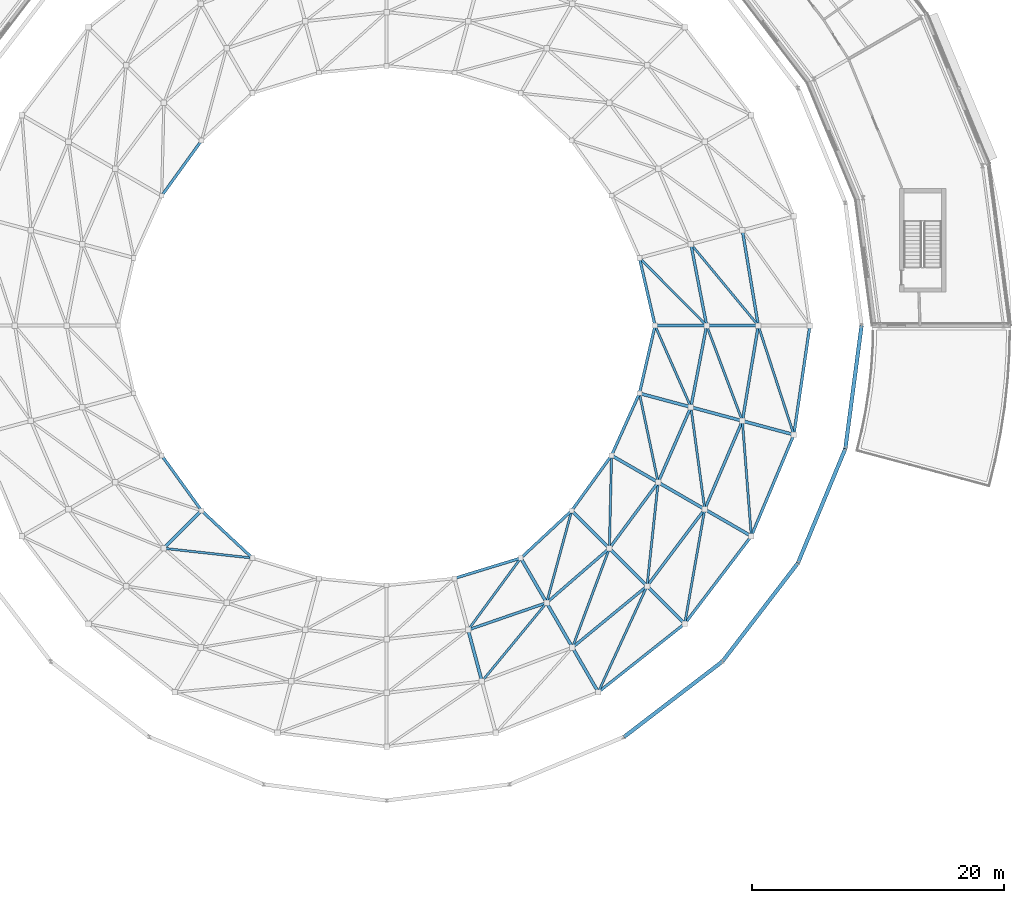
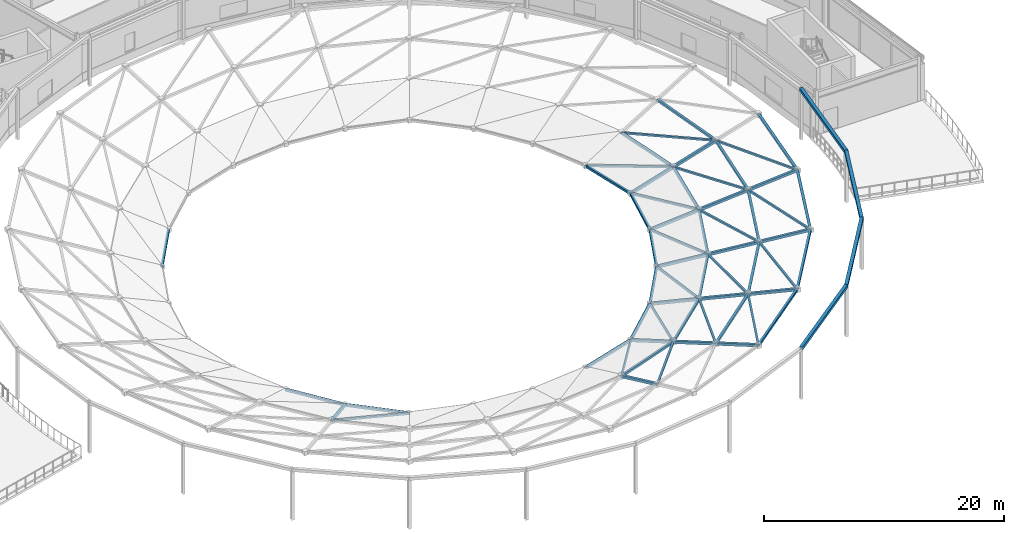
# One storey, part 17 of 89: 57 members, 4 beams.
"""IFC4 building model written with IfcOpenShell, lengths in metres."""

import ifcopenshell
import ifcopenshell.guid

model = None  # the IFC model being written
_history = None  # IfcOwnerHistory: only IFC2X3 demands one
_inside = {}  # id of a spatial element -> (the spatial element, [elements in it])
_under = {}  # id of a project, library or spatial element -> (it, [spatial elements below it])
_declared = {}  # id of a project -> (the project, [libraries it declares])
_typed = {}  # id of a type object -> (the type object, [elements of that type])
_made_of = {}  # id of a material, layer set ... -> (it, [elements and type objects made of it])


def new_model(schema):
    """Start an empty IFC model of exactly this schema.

    Asked for "IFC4X3", IfcOpenShell would pick the latest addendum, in which some entities
    have other attributes; the version numbers below select the first issue.
    IFC2X3 requires an IfcOwnerHistory on every rooted entity: one is made here for all.
    """
    global model, _history
    if schema == "IFC4X3":
        model = ifcopenshell.file(schema_version=(4, 3, 0, 0))
    else:
        model = ifcopenshell.file(schema=schema)
    _inside.clear()
    _under.clear()
    _declared.clear()
    _typed.clear()
    _made_of.clear()
    _history = None
    if model.schema == "IFC2X3":
        org = make("IfcOrganization", Name="unknown")
        user = make(
            "IfcPersonAndOrganization",
            ThePerson=make("IfcPerson", FamilyName="unknown"),
            TheOrganization=org,
        )
        app = make(
            "IfcApplication",
            ApplicationDeveloper=org,
            Version="unknown",
            ApplicationFullName="unknown",
            ApplicationIdentifier="unknown",
        )
        _history = make(
            "IfcOwnerHistory",
            OwningUser=user,
            OwningApplication=app,
            ChangeAction="ADDED",
            CreationDate=0,
        )
    return model


def make(cls, **values):
    """One entity of the class cls with the attributes given. An attribute that is None is left unset."""
    return model.create_entity(
        cls, **{name: value for name, value in values.items() if value is not None}
    )


def rooted(cls, **values):
    """An entity with a GlobalId (a new one), such as an element, a storey or a relation."""
    return make(cls, GlobalId=ifcopenshell.guid.new(), OwnerHistory=_history, **values)


def si_unit(unit_type, name, prefix=None):
    """IfcSIUnit, for example si_unit("LENGTHUNIT", "METRE", prefix="MILLI")."""
    return make("IfcSIUnit", UnitType=unit_type, Prefix=prefix, Name=name)


def assignment(units):
    """IfcUnitAssignment: the units of a project."""
    return None if units is None else make("IfcUnitAssignment", Units=units)


def point(xyz):
    """IfcCartesianPoint."""
    return None if xyz is None else make("IfcCartesianPoint", Coordinates=xyz)


def direction(xyz):
    """IfcDirection."""
    return None if xyz is None else make("IfcDirection", DirectionRatios=xyz)


def frame(location, z_axis=None, x_axis=None):
    """IfcAxis2Placement3D, a coordinate frame: its origin and axes. An axis left out is left unset."""
    return make(
        "IfcAxis2Placement3D",
        Location=point(location),
        Axis=direction(z_axis),
        RefDirection=direction(x_axis),
    )


def frame_2d(location, x_axis=None):
    """IfcAxis2Placement2D, a coordinate frame in the plane: its origin and x axis."""
    return make(
        "IfcAxis2Placement2D", Location=point(location), RefDirection=direction(x_axis)
    )


def origin():
    """The frame at (0, 0, 0) with its axes left unset."""
    return frame((0.0, 0.0, 0.0))


def origin_2d():
    """The frame at (0, 0) in the plane with its x axis left unset."""
    return frame_2d((0.0, 0.0))


def place(relative_to, where):
    """IfcLocalPlacement: puts the frame where relative to a parent placement (None: the world)."""
    return make(
        "IfcLocalPlacement", PlacementRelTo=relative_to, RelativePlacement=where
    )


def context(
    kind, dimensions, precision=None, world=None, true_north=None, identifier=None
):
    """IfcGeometricRepresentationContext, for example the 3D "Model" context."""
    return make(
        "IfcGeometricRepresentationContext",
        ContextIdentifier=identifier,
        ContextType=kind,
        CoordinateSpaceDimension=dimensions,
        Precision=precision,
        WorldCoordinateSystem=world,
        TrueNorth=true_north,
    )


def subcontext(parent, identifier, kind, view, scale=None):
    """IfcGeometricRepresentationSubContext, for example "Body" below "Model"."""
    return make(
        "IfcGeometricRepresentationSubContext",
        ContextIdentifier=identifier,
        ContextType=kind,
        ParentContext=parent,
        TargetScale=scale,
        TargetView=view,
    )


def project(units=None, contexts=None):
    """IfcProject with its units and contexts."""
    return rooted(
        "IfcProject",
        Name="project",
        RepresentationContexts=contexts,
        UnitsInContext=assignment(units),
    )


def spatial(cls, under=None, at=None, **own):
    """A site, building, storey or space (cls), placed at a placement, below another one or the project."""
    s = rooted(cls, ObjectPlacement=at, **own)
    if under is not None:
        _under.setdefault(under.id(), (under, []))[1].append(s)
    return s


def profile(cls, at=None, kind="AREA", **sizes):
    """A parametric profile (cls). Its sizes go by their IFC names, for example OverallWidth=200.0."""
    return make(cls, ProfileType=kind, Position=at, **sizes)


def hollow_rectangle(**sizes):
    """IfcRectangleHollowProfileDef."""
    return profile("IfcRectangleHollowProfileDef", **sizes)


def extrude(swept, where, along, depth):
    """IfcExtrudedAreaSolid: the profile swept, set in the frame where, extruded along a direction by depth."""
    return make(
        "IfcExtrudedAreaSolid",
        SweptArea=swept,
        Position=where,
        ExtrudedDirection=direction(along),
        Depth=depth,
    )


def shape(context_of_items, identifier, shape_type, items):
    """IfcShapeRepresentation: the items that make up one representation, for example the "Body"."""
    return make(
        "IfcShapeRepresentation",
        ContextOfItems=context_of_items,
        RepresentationIdentifier=identifier,
        RepresentationType=shape_type,
        Items=items,
    )


def material(Name=None, Category=None):
    """IfcMaterial."""
    return make("IfcMaterial", Name=Name, Category=Category)


def material_profile(
    of_material, cross_section, Name=None, Category=None, Priority=None
):
    """IfcMaterialProfile: a cross section and its material."""
    return make(
        "IfcMaterialProfile",
        Name=Name,
        Material=of_material,
        Profile=cross_section,
        Priority=Priority,
        Category=Category,
    )


def profile_set(profiles, Name=None, composite=None):
    """IfcMaterialProfileSet."""
    return make(
        "IfcMaterialProfileSet",
        Name=Name,
        MaterialProfiles=profiles,
        CompositeProfile=composite,
    )


def made_of(thing, what):
    """Note that an element or type object is made of a material, layer set ...; save() writes the relation."""
    if what is not None:
        _made_of.setdefault(what.id(), (what, []))[1].append(thing)
    return thing


def type_object(cls, material=None, **own):
    """A type object (cls), such as IfcWallType, which elements share."""
    return made_of(rooted(cls, **own), material)


def element(
    cls,
    number,
    at=None,
    inside=None,
    cuts=None,
    type_object=None,
    material=None,
    context=None,
    identifier="Body",
    shape_type=None,
    held_by="IfcProductDefinitionShape",
    body=None,
    shapes=None,
    **own,
):
    """One element of the class cls, such as IfcWall. Its Tag is "e" and its number.

    at: its placement. inside: the storey or other place that contains it. cuts: it is an
    opening in that element (IfcRelVoidsElement). A single representation is given by context,
    identifier, shape_type and body (its items); several are given by shapes. held_by: the class
    of the entity that holds the representations. save() writes the other relations.
    """
    e = rooted(cls, Tag="e%d" % number, ObjectPlacement=at, **own)
    if body is not None:
        shapes = [shape(context, identifier, shape_type, body)]
    if shapes is not None:
        e.Representation = make(held_by, Representations=shapes)
    if inside is not None:
        _inside.setdefault(inside.id(), (inside, []))[1].append(e)
    if cuts is not None:
        rooted(
            "IfcRelVoidsElement", RelatingBuildingElement=cuts, RelatedOpeningElement=e
        )
    if type_object is not None:
        _typed.setdefault(type_object.id(), (type_object, []))[1].append(e)
    return made_of(e, material)


def aggregate(whole, parts):
    """IfcRelAggregates: a whole, such as a stair, and the parts it consists of."""
    return rooted("IfcRelAggregates", RelatingObject=whole, RelatedObjects=parts)


def save(model, path):
    """Write the relations noted so far, then the file.

    IfcRelAggregates (storeys below a building ...), IfcRelContainedInSpatialStructure (elements
    in a storey), IfcRelDefinesByType, IfcRelAssociatesMaterial and IfcRelDeclares: one each for
    every whole, place, type object, material and project.
    """
    for whole, parts in _under.values():
        aggregate(whole, parts)
    for where, things in _inside.values():
        rooted(
            "IfcRelContainedInSpatialStructure",
            RelatedElements=things,
            RelatingStructure=where,
        )
    for kind, things in _typed.values():
        rooted("IfcRelDefinesByType", RelatedObjects=things, RelatingType=kind)
    for what, things in _made_of.values():
        rooted("IfcRelAssociatesMaterial", RelatedObjects=things, RelatingMaterial=what)
    for by, libraries in _declared.values():
        rooted("IfcRelDeclares", RelatingContext=by, RelatedDefinitions=libraries)
    model.write(path)


model = new_model("IFC4")

# Units and contexts
model_context = context("Model", 3, precision=1e-05, world=origin(), true_north=direction((0.0, 1.0)))
body_context = subcontext(model_context, "Body", "Model", "MODEL_VIEW")
ifc_project = project(units=[si_unit("LENGTHUNIT", "METRE"), si_unit("AREAUNIT", "SQUARE_METRE"), si_unit("VOLUMEUNIT", "CUBIC_METRE"), si_unit("PLANEANGLEUNIT", "RADIAN"), si_unit("MASSUNIT", "GRAM", prefix="KILO")], contexts=[model_context])

# Site, building, storey
site_placement = place(None, origin())
site = spatial("IfcSite", under=ifc_project, at=site_placement, CompositionType="ELEMENT")
building_placement = place(site_placement, origin())
building = spatial("IfcBuilding", under=site, at=building_placement, Name="Almandine Court Research Institute", CompositionType="ELEMENT")
storey_placement = place(building_placement, frame((0.0, 0.0, 18.89990234375)))
storey = spatial("IfcBuildingStorey", under=building, at=storey_placement, Name="L04", CompositionType="ELEMENT", Elevation=18.89990234375)

# Beams
ifc_material = material(Name="Steel ASTM A500 Grade C", Category="steel")
ifc_material_profile_1 = material_profile(ifc_material, hollow_rectangle(XDim=0.300048828125, YDim=0.300048828125, WallThickness=0.011962890625, at=origin_2d()), Name="HSS 300x300x12")
ifc_profile_set_1 = profile_set([ifc_material_profile_1], Name="Steel ASTM A500 Grade C")
beam_type = type_object("IfcBeamType", Name="Beam-RB-01-E", PredefinedType="BEAM", material=ifc_profile_set_1)
for number, where, z_axis, x_axis, name in (
    (1, (105.824951171875, 23.39404296875, 5.10009765625), (0.793391623282, 0.608711534396, 0.0), (-0.608711534396, 0.793391623282, 0.0), "Gridshell Outer Ring Beam ORB-21"),
    (2, (113.623046875, 29.376953125, 5.10009765625), (0.608711534396, 0.793391623282, 0.0), (-0.793391623282, 0.608711534396, 0.0), "Gridshell Outer Ring Beam ORB-22"),
):
    element("IfcBeam", number, at=place(storey_placement, frame(where, z_axis=z_axis, x_axis=x_axis)), inside=storey, type_object=beam_type, Name=name, PredefinedType="BEAM", context=body_context, shape_type="SweptSolid", body=[
        extrude(hollow_rectangle(XDim=0.300048828125, YDim=0.300048828125, WallThickness=0.011962890625, at=origin_2d()), origin(), (0.0, 0.0, 1.0), 9.828857421875),
    ])
beam_1_placement = place(storey_placement, frame((119.60595703125, 37.175048828125, 5.10009765625), z_axis=(0.382683080424, 0.92387967829, 0.0), x_axis=(-0.92387967829, 0.382683080424, 0.0)))
element("IfcBeam", 3, at=beam_1_placement, inside=storey, type_object=beam_type, Name="Gridshell Outer Ring Beam ORB-23", PredefinedType="BEAM", context=body_context, shape_type="SweptSolid", body=[
    extrude(hollow_rectangle(XDim=0.300048828125, YDim=0.300048828125, WallThickness=0.011962890625, at=origin_2d()), origin(), (0.0, 0.0, 1.0), 9.827880859375),
])
beam_2_placement = place(storey_placement, frame((123.366943359375, 46.2548828125, 5.10009765625), z_axis=(0.130525188913, 0.991444993461, 0.0), x_axis=(-0.991444993461, 0.130525188913, 0.0)))
element("IfcBeam", 4, at=beam_2_placement, inside=storey, type_object=beam_type, Name="Gridshell Outer Ring Beam ORB-24", PredefinedType="BEAM", context=body_context, shape_type="SweptSolid", body=[
    extrude(hollow_rectangle(XDim=0.300048828125, YDim=0.300048828125, WallThickness=0.011962890625, at=origin_2d()), origin(), (0.0, 0.0, 1.0), 9.8291015625),
])

# Members
ifc_material_profile_2 = material_profile(ifc_material, hollow_rectangle(XDim=0.25, YDim=0.25, WallThickness=0.010009765625, at=origin_2d()), Name="HSS 250x250x10")
ifc_profile_set_2 = profile_set([ifc_material_profile_2], Name="Steel ASTM A500 Grade C")
member_type_1 = type_object("IfcMemberType", Name="Mem-GS-AR1", PredefinedType="RAFTER", material=ifc_profile_set_2)
member_1_placement = place(storey_placement, frame((103.779052734375, 26.93896484375, 3.9931640625), z_axis=(-0.478141034543, 0.827751372383, -0.293613379471), x_axis=(-0.865917322531, -0.500187155513, 0.0)))
element("IfcMember", 5, at=member_1_placement, inside=storey, type_object=member_type_1, Name="Atrium Conical Gridshell Radial Rib R1-S20", PredefinedType="RAFTER", context=body_context, shape_type="SweptSolid", body=[
    extrude(hollow_rectangle(XDim=0.25, YDim=0.25, WallThickness=0.010009765625, at=origin_2d()), origin(), (0.0, 0.0, 1.0), 4.281494140625),
])
member_2_placement = place(storey_placement, frame((110.634033203125, 32.365966796875, 3.9931640625), z_axis=(-0.677753192831, 0.677753192831, -0.285133686566), x_axis=(-0.707106781187, -0.707106781187, 0.0)))
element("IfcMember", 6, at=member_2_placement, inside=storey, type_object=member_type_1, Name="Atrium Conical Gridshell Radial Rib R1-S21", PredefinedType="RAFTER", context=body_context, shape_type="SweptSolid", body=[
    extrude(hollow_rectangle(XDim=0.25, YDim=0.25, WallThickness=0.010009765625, at=origin_2d()), origin(), (0.0, 0.0, 1.0), 4.40869140625),
])
member_3_placement = place(storey_placement, frame((115.912109375, 39.30810546875, 3.9931640625), z_axis=(-0.830787954745, 0.479442232558, -0.282712786926), x_axis=(-0.499833120622, -0.866121730203, 0.0)))
element("IfcMember", 7, at=member_3_placement, inside=storey, type_object=member_type_1, Name="Atrium Conical Gridshell Radial Rib R1-S22", PredefinedType="RAFTER", context=body_context, shape_type="SweptSolid", body=[
    extrude(hollow_rectangle(XDim=0.25, YDim=0.25, WallThickness=0.010009765625, at=origin_2d()), origin(), (0.0, 0.0, 1.0), 4.446533203125),
])
member_4_placement = place(storey_placement, frame((119.284912109375, 47.34912109375, 3.9931640625), z_axis=(-0.925822235368, 0.248122573964, -0.285111165665), x_axis=(-0.258866989029, -0.965912978478, 0.0)))
element("IfcMember", 8, at=member_4_placement, inside=storey, type_object=member_type_1, Name="Atrium Conical Gridshell Radial Rib R1-S23", PredefinedType="RAFTER", context=body_context, shape_type="SweptSolid", body=[
    extrude(hollow_rectangle(XDim=0.25, YDim=0.25, WallThickness=0.010009765625, at=origin_2d()), origin(), (0.0, 0.0, 1.0), 4.4091796875),
])
member_5_placement = place(storey_placement, frame((116.464111328125, 56.0, 2.736083984375), z_axis=(-0.955930522489, 0.0, -0.293592977053), x_axis=(0.0, -1.0, 0.0)))
element("IfcMember", 9, at=member_5_placement, inside=storey, type_object=member_type_1, Name="Atrium Conical Gridshell Radial Rib R2-S00", PredefinedType="RAFTER", context=body_context, shape_type="SweptSolid", body=[
    extrude(hollow_rectangle(XDim=0.25, YDim=0.25, WallThickness=0.010009765625, at=origin_2d()), origin(), (0.0, 0.0, 1.0), 4.28173828125),
])
member_6_placement = place(storey_placement, frame((94.556884765625, 27.797119140625, 2.736083984375), z_axis=(-0.248186188634, 0.925782669721, -0.285184263619), x_axis=(-0.965893613952, -0.258939233271, 0.0)))
element("IfcMember", 10, at=member_6_placement, inside=storey, type_object=member_type_1, Name="Atrium Conical Gridshell Radial Rib R2-S19", PredefinedType="RAFTER", context=body_context, shape_type="SweptSolid", body=[
    extrude(hollow_rectangle(XDim=0.25, YDim=0.25, WallThickness=0.010009765625, at=origin_2d()), origin(), (0.0, 0.0, 1.0), 4.407958984375),
])
member_7_placement = place(storey_placement, frame((101.73193359375, 30.48291015625, 2.736083984375), z_axis=(-0.477808253345, 0.827953895802, -0.293584092658), x_axis=(-0.86612103393, -0.499834327136, 0.0)))
element("IfcMember", 11, at=member_7_placement, inside=storey, type_object=member_type_1, Name="Atrium Conical Gridshell Radial Rib R2-S20", PredefinedType="RAFTER", context=body_context, shape_type="SweptSolid", body=[
    extrude(hollow_rectangle(XDim=0.25, YDim=0.25, WallThickness=0.010009765625, at=origin_2d()), origin(), (0.0, 0.0, 1.0), 4.28173828125),
])
member_8_placement = place(storey_placement, frame((107.64599609375, 35.35400390625, 2.736083984375), z_axis=(-0.677753192831, 0.677753192831, -0.285133686566), x_axis=(-0.707106781187, -0.707106781187, 0.0)))
element("IfcMember", 12, at=member_8_placement, inside=storey, type_object=member_type_1, Name="Atrium Conical Gridshell Radial Rib R2-S21", PredefinedType="RAFTER", context=body_context, shape_type="SweptSolid", body=[
    extrude(hollow_rectangle(XDim=0.25, YDim=0.25, WallThickness=0.010009765625, at=origin_2d()), origin(), (0.0, 0.0, 1.0), 4.40869140625),
])
member_9_placement = place(storey_placement, frame((112.218017578125, 41.43994140625, 2.736083984375), z_axis=(-0.830610507345, 0.479741125317, -0.282727143671), x_axis=(-0.500146931843, -0.865940556025, 0.0)))
element("IfcMember", 13, at=member_9_placement, inside=storey, type_object=member_type_1, Name="Atrium Conical Gridshell Radial Rib R2-S22", PredefinedType="RAFTER", context=body_context, shape_type="SweptSolid", body=[
    extrude(hollow_rectangle(XDim=0.25, YDim=0.25, WallThickness=0.010009765625, at=origin_2d()), origin(), (0.0, 0.0, 1.0), 4.4462890625),
])
member_10_placement = place(storey_placement, frame((115.202880859375, 48.443115234375, 2.736083984375), z_axis=(-0.925782669721, 0.248186188634, -0.285184263619), x_axis=(-0.258939233271, -0.965893613952, 0.0)))
element("IfcMember", 14, at=member_10_placement, inside=storey, type_object=member_type_1, Name="Atrium Conical Gridshell Radial Rib R2-S23", PredefinedType="RAFTER", context=body_context, shape_type="SweptSolid", body=[
    extrude(hollow_rectangle(XDim=0.25, YDim=0.25, WallThickness=0.010009765625, at=origin_2d()), origin(), (0.0, 0.0, 1.0), 4.407958984375),
])
member_11_placement = place(storey_placement, frame((112.37109375, 56.0, 1.47900390625), z_axis=(-0.955862817896, 0.0, -0.293813330815), x_axis=(0.0, -1.0, 0.0)))
element("IfcMember", 15, at=member_11_placement, inside=storey, type_object=member_type_1, Name="Atrium Conical Gridshell Radial Rib R3-S00", PredefinedType="RAFTER", context=body_context, shape_type="SweptSolid", body=[
    extrude(hollow_rectangle(XDim=0.25, YDim=0.25, WallThickness=0.010009765625, at=origin_2d()), origin(), (0.0, 0.0, 1.0), 4.281005859375),
])
member_12_placement = place(storey_placement, frame((69.342041015625, 38.342041015625, 1.47900390625), z_axis=(0.677721081181, 0.677721081181, -0.285286298737), x_axis=(-0.707106781187, 0.707106781187, 0.0)))
element("IfcMember", 16, at=member_12_placement, inside=storey, type_object=member_type_1, Name="Atrium Conical Gridshell Radial Rib R3-S15", PredefinedType="RAFTER", context=body_context, shape_type="SweptSolid", body=[
    extrude(hollow_rectangle(XDim=0.25, YDim=0.25, WallThickness=0.010009765625, at=origin_2d()), origin(), (0.0, 0.0, 1.0), 4.408935546875),
])
member_13_placement = place(storey_placement, frame((99.68603515625, 34.028076171875, 1.47900390625), z_axis=(-0.478117013059, 0.827709786711, -0.293769690075), x_axis=(-0.865917322531, -0.500187155513, 0.0)))
element("IfcMember", 17, at=member_13_placement, inside=storey, type_object=member_type_1, Name="Atrium Conical Gridshell Radial Rib R3-S20", PredefinedType="RAFTER", context=body_context, shape_type="SweptSolid", body=[
    extrude(hollow_rectangle(XDim=0.25, YDim=0.25, WallThickness=0.010009765625, at=origin_2d()), origin(), (0.0, 0.0, 1.0), 4.28173828125),
])
member_14_placement = place(storey_placement, frame((104.657958984375, 38.342041015625, 1.47900390625), z_axis=(-0.677721081181, 0.677721081181, -0.285286298737), x_axis=(-0.707106781187, -0.707106781187, 0.0)))
element("IfcMember", 18, at=member_14_placement, inside=storey, type_object=member_type_1, Name="Atrium Conical Gridshell Radial Rib R3-S21", PredefinedType="RAFTER", context=body_context, shape_type="SweptSolid", body=[
    extrude(hollow_rectangle(XDim=0.25, YDim=0.25, WallThickness=0.010009765625, at=origin_2d()), origin(), (0.0, 0.0, 1.0), 4.408935546875),
])
member_15_placement = place(storey_placement, frame((108.52490234375, 43.572998046875, 1.47900390625), z_axis=(-0.830710375587, 0.479484052214, -0.282869785527), x_axis=(-0.499900842016, -0.866082645105, 0.0)))
element("IfcMember", 19, at=member_15_placement, inside=storey, type_object=member_type_1, Name="Atrium Conical Gridshell Radial Rib R3-S22", PredefinedType="RAFTER", context=body_context, shape_type="SweptSolid", body=[
    extrude(hollow_rectangle(XDim=0.25, YDim=0.25, WallThickness=0.010009765625, at=origin_2d()), origin(), (0.0, 0.0, 1.0), 4.446533203125),
])
member_16_placement = place(storey_placement, frame((111.1220703125, 49.537109375, 1.47900390625), z_axis=(-0.925841938996, 0.247850987975, -0.285283353451), x_axis=(-0.258597465656, -0.965985171085, 0.0)))
element("IfcMember", 20, at=member_16_placement, inside=storey, type_object=member_type_1, Name="Atrium Conical Gridshell Radial Rib R3-S23", PredefinedType="RAFTER", context=body_context, shape_type="SweptSolid", body=[
    extrude(hollow_rectangle(XDim=0.25, YDim=0.25, WallThickness=0.010009765625, at=origin_2d()), origin(), (0.0, 0.0, 1.0), 4.408935546875),
])
ifc_material_profile_3 = material_profile(ifc_material, hollow_rectangle(XDim=0.179931640625, YDim=0.179931640625, WallThickness=0.008056640625, at=origin_2d()), Name="HSS 180x180x8")
ifc_profile_set_3 = profile_set([ifc_material_profile_3], Name="Steel ASTM A500 Grade C")
member_type_2 = type_object("IfcMemberType", Name="Mem-GS-BR1", PredefinedType="BRACE", material=ifc_profile_set_3)
member_17_placement = place(storey_placement, frame((103.779052734375, 26.93896484375, 3.9931640625), z_axis=(0.413756992385, 0.900396237991, -0.134505635065), x_axis=(-0.908653326396, 0.417551353046, 0.0)))
element("IfcMember", 21, at=member_17_placement, inside=storey, type_object=member_type_2, Name="Atrium Conical Gridshell Diagonal Brace R1-S20", PredefinedType="BRACE", context=body_context, shape_type="SweptSolid", body=[
    extrude(hollow_rectangle(XDim=0.179931640625, YDim=0.179931640625, WallThickness=0.008056640625, at=origin_2d()), origin(), (0.0, 0.0, 1.0), 9.345947265625),
])
member_18_placement = place(storey_placement, frame((110.634033203125, 32.365966796875, 3.9931640625), z_axis=(0.170383683555, 0.976055851833, -0.135219726669), x_axis=(-0.985103399546, 0.17196305476, 0.0)))
element("IfcMember", 22, at=member_18_placement, inside=storey, type_object=member_type_2, Name="Atrium Conical Gridshell Diagonal Brace R1-S21", PredefinedType="BRACE", context=body_context, shape_type="SweptSolid", body=[
    extrude(hollow_rectangle(XDim=0.179931640625, YDim=0.179931640625, WallThickness=0.008056640625, at=origin_2d()), origin(), (0.0, 0.0, 1.0), 9.296630859375),
])
member_19_placement = place(storey_placement, frame((115.912109375, 39.30810546875, 3.9931640625), z_axis=(-0.076687175308, 0.98774665697, -0.13592504842), x_axis=(-0.996999688176, -0.077405566832, 0.0)))
element("IfcMember", 23, at=member_19_placement, inside=storey, type_object=member_type_2, Name="Atrium Conical Gridshell Diagonal Brace R1-S22", PredefinedType="BRACE", context=body_context, shape_type="SweptSolid", body=[
    extrude(hollow_rectangle(XDim=0.179931640625, YDim=0.179931640625, WallThickness=0.008056640625, at=origin_2d()), origin(), (0.0, 0.0, 1.0), 9.248291015625),
])
member_20_placement = place(storey_placement, frame((119.284912109375, 47.34912109375, 3.9931640625), z_axis=(-0.307090123161, 0.941789114081, -0.136853647581), x_axis=(-0.950734309328, -0.310006891967, 0.0)))
element("IfcMember", 24, at=member_20_placement, inside=storey, type_object=member_type_2, Name="Atrium Conical Gridshell Diagonal Brace R1-S23", PredefinedType="BRACE", context=body_context, shape_type="SweptSolid", body=[
    extrude(hollow_rectangle(XDim=0.179931640625, YDim=0.179931640625, WallThickness=0.008056640625, at=origin_2d()), origin(), (0.0, 0.0, 1.0), 9.185546875),
])
member_21_placement = place(storey_placement, frame((116.464111328125, 56.0, 2.736083984375), z_axis=(-0.630061906521, 0.762259439213, -0.148265104734), x_axis=(-0.770778349639, -0.637103394849, 0.0)))
element("IfcMember", 25, at=member_21_placement, inside=storey, type_object=member_type_2, Name="Atrium Conical Gridshell Diagonal Brace R2-S00", PredefinedType="BRACE", context=body_context, shape_type="SweptSolid", body=[
    extrude(hollow_rectangle(XDim=0.179931640625, YDim=0.179931640625, WallThickness=0.008056640625, at=origin_2d()), origin(), (0.0, 0.0, 1.0), 8.478515625),
])
member_22_placement = place(storey_placement, frame((94.556884765625, 27.797119140625, 2.736083984375), z_axis=(0.627970659521, 0.762866731987, -0.153906465128), x_axis=(-0.772065567876, 0.635542885178, 0.0)))
element("IfcMember", 26, at=member_22_placement, inside=storey, type_object=member_type_2, Name="Atrium Conical Gridshell Diagonal Brace R2-S19", PredefinedType="BRACE", context=body_context, shape_type="SweptSolid", body=[
    extrude(hollow_rectangle(XDim=0.179931640625, YDim=0.179931640625, WallThickness=0.008056640625, at=origin_2d()), origin(), (0.0, 0.0, 1.0), 8.167724609375),
])
member_23_placement = place(storey_placement, frame((101.73193359375, 30.48291015625, 2.736083984375), z_axis=(0.345056371344, 0.926800972043, -0.148243242057), x_axis=(-0.937155671014, 0.348911519279, 0.0)))
element("IfcMember", 27, at=member_23_placement, inside=storey, type_object=member_type_2, Name="Atrium Conical Gridshell Diagonal Brace R2-S20", PredefinedType="BRACE", context=body_context, shape_type="SweptSolid", body=[
    extrude(hollow_rectangle(XDim=0.179931640625, YDim=0.179931640625, WallThickness=0.008056640625, at=origin_2d()), origin(), (0.0, 0.0, 1.0), 8.479736328125),
])
member_24_placement = place(storey_placement, frame((107.64599609375, 35.35400390625, 2.736083984375), z_axis=(0.105121053014, 0.983027847145, -0.150352306103), x_axis=(-0.994330922008, 0.10632975848, 0.0)))
element("IfcMember", 28, at=member_24_placement, inside=storey, type_object=member_type_2, Name="Atrium Conical Gridshell Diagonal Brace R2-S21", PredefinedType="BRACE", context=body_context, shape_type="SweptSolid", body=[
    extrude(hollow_rectangle(XDim=0.179931640625, YDim=0.179931640625, WallThickness=0.008056640625, at=origin_2d()), origin(), (0.0, 0.0, 1.0), 8.36083984375),
])
member_25_placement = place(storey_placement, frame((112.218017578125, 41.43994140625, 2.736083984375), z_axis=(-0.132566795686, 0.979440932439, -0.152057569834), x_axis=(-0.990964222824, -0.134126466751, 0.0)))
element("IfcMember", 29, at=member_25_placement, inside=storey, type_object=member_type_2, Name="Atrium Conical Gridshell Diagonal Brace R2-S22", PredefinedType="BRACE", context=body_context, shape_type="SweptSolid", body=[
    extrude(hollow_rectangle(XDim=0.179931640625, YDim=0.179931640625, WallThickness=0.008056640625, at=origin_2d()), origin(), (0.0, 0.0, 1.0), 8.26708984375),
])
member_26_placement = place(storey_placement, frame((115.202880859375, 48.443115234375, 2.736083984375), z_axis=(-0.346719989129, 0.925254230839, -0.1539150982), x_axis=(-0.936412449807, -0.350901302145, 0.0)))
element("IfcMember", 30, at=member_26_placement, inside=storey, type_object=member_type_2, Name="Atrium Conical Gridshell Diagonal Brace R2-S23", PredefinedType="BRACE", context=body_context, shape_type="SweptSolid", body=[
    extrude(hollow_rectangle(XDim=0.179931640625, YDim=0.179931640625, WallThickness=0.008056640625, at=origin_2d()), origin(), (0.0, 0.0, 1.0), 8.16748046875),
])
member_27_placement = place(storey_placement, frame((112.37109375, 56.0, 1.47900390625), z_axis=(-0.694984866823, 0.700077263722, -0.163975180155), x_axis=(-0.709683205741, -0.704520934741, 0.0)))
element("IfcMember", 31, at=member_27_placement, inside=storey, type_object=member_type_2, Name="Atrium Conical Gridshell Diagonal Brace R3-S00", PredefinedType="BRACE", context=body_context, shape_type="SweptSolid", body=[
    extrude(hollow_rectangle(XDim=0.179931640625, YDim=0.179931640625, WallThickness=0.008056640625, at=origin_2d()), origin(), (0.0, 0.0, 1.0), 7.670654296875),
])
for number, where, z_axis, x_axis, name in (
    (32, (69.342041015625, 38.342041015625, 1.47900390625), (0.978631149869, -0.107360092059, -0.175370702056), (0.109050099051, 0.99403625482, 0.0), "Atrium Conical Gridshell Diagonal Brace R3-S15"),
    (33, (93.462890625, 31.8779296875, 1.47900390625), (0.582231807343, 0.793884387178, -0.175367335366), (-0.806380813024, 0.591396638802, 0.0), "Atrium Conical Gridshell Diagonal Brace R3-S19"),
):
    element("IfcMember", number, at=place(storey_placement, frame(where, z_axis=z_axis, x_axis=x_axis)), inside=storey, type_object=member_type_2, Name=name, PredefinedType="BRACE", context=body_context, shape_type="SweptSolid", body=[
        extrude(hollow_rectangle(XDim=0.179931640625, YDim=0.179931640625, WallThickness=0.008056640625, at=origin_2d()), origin(), (0.0, 0.0, 1.0), 7.17236328125),
    ])
member_28_placement = place(storey_placement, frame((99.68603515625, 34.028076171875, 1.47900390625), z_axis=(0.258637280431, 0.951954518879, -0.163979727883), x_axis=(-0.965017273677, 0.262186310672, 0.0)))
element("IfcMember", 34, at=member_28_placement, inside=storey, type_object=member_type_2, Name="Atrium Conical Gridshell Diagonal Brace R3-S20", PredefinedType="BRACE", context=body_context, shape_type="SweptSolid", body=[
    extrude(hollow_rectangle(XDim=0.179931640625, YDim=0.179931640625, WallThickness=0.008056640625, at=origin_2d()), origin(), (0.0, 0.0, 1.0), 7.670654296875),
])
member_29_placement = place(storey_placement, frame((104.657958984375, 38.342041015625, 1.47900390625), z_axis=(0.02316682899, 0.985456129082, -0.168343445639), x_axis=(-0.999723784127, 0.023502243541, 0.0)))
element("IfcMember", 35, at=member_29_placement, inside=storey, type_object=member_type_2, Name="Atrium Conical Gridshell Diagonal Brace R3-S21", PredefinedType="BRACE", context=body_context, shape_type="SweptSolid", body=[
    extrude(hollow_rectangle(XDim=0.179931640625, YDim=0.179931640625, WallThickness=0.008056640625, at=origin_2d()), origin(), (0.0, 0.0, 1.0), 7.4716796875),
])
member_30_placement = place(storey_placement, frame((108.52490234375, 43.572998046875, 1.47900390625), z_axis=(-0.202842350613, 0.964018109908, -0.171825680756), x_axis=(-0.978572049779, -0.205904694923, 0.0)))
element("IfcMember", 36, at=member_30_placement, inside=storey, type_object=member_type_2, Name="Atrium Conical Gridshell Diagonal Brace R3-S22", PredefinedType="BRACE", context=body_context, shape_type="SweptSolid", body=[
    extrude(hollow_rectangle(XDim=0.179931640625, YDim=0.179931640625, WallThickness=0.008056640625, at=origin_2d()), origin(), (0.0, 0.0, 1.0), 7.3203125),
])
member_31_placement = place(storey_placement, frame((111.1220703125, 49.537109375, 1.47900390625), z_axis=(-0.39641972319, 0.901161263399, -0.175384664137), x_axis=(-0.915349189983, -0.402660974515, 0.0)))
element("IfcMember", 37, at=member_31_placement, inside=storey, type_object=member_type_2, Name="Atrium Conical Gridshell Diagonal Brace R3-S23", PredefinedType="BRACE", context=body_context, shape_type="SweptSolid", body=[
    extrude(hollow_rectangle(XDim=0.179931640625, YDim=0.179931640625, WallThickness=0.008056640625, at=origin_2d()), origin(), (0.0, 0.0, 1.0), 7.171630859375),
])
ifc_material_profile_4 = material_profile(ifc_material, hollow_rectangle(XDim=0.219970703125, YDim=0.219970703125, WallThickness=0.010009765625, at=origin_2d()), Name="HSS 220x220x10")
ifc_profile_set_4 = profile_set([ifc_material_profile_4], Name="Steel ASTM A500 Grade C")
member_type_3 = type_object("IfcMemberType", Name="Mem-GS-ST1", PredefinedType="COLLAR", material=ifc_profile_set_4)
member_32_placement = place(storey_placement, frame((103.779052734375, 26.93896484375, 3.9931640625), z_axis=(0.784037897323, 0.620712957461, 0.0), x_axis=(-0.620712957461, 0.784037897323, 0.0)))
element("IfcMember", 38, at=member_32_placement, inside=storey, type_object=member_type_3, Name="Atrium Conical Gridshell Hoop Ring R1-S20", PredefinedType="COLLAR", context=body_context, shape_type="SweptSolid", body=[
    extrude(hollow_rectangle(XDim=0.219970703125, YDim=0.219970703125, WallThickness=0.010009765625, at=origin_2d()), origin(), (0.0, 0.0, 1.0), 8.7431640625),
])
member_33_placement = place(storey_placement, frame((110.634033203125, 32.365966796875, 3.9931640625), z_axis=(0.605232319599, 0.796048892539, 0.0), x_axis=(-0.796048892539, 0.605232319599, 0.0)))
element("IfcMember", 39, at=member_33_placement, inside=storey, type_object=member_type_3, Name="Atrium Conical Gridshell Hoop Ring R1-S21", PredefinedType="COLLAR", context=body_context, shape_type="SweptSolid", body=[
    extrude(hollow_rectangle(XDim=0.219970703125, YDim=0.219970703125, WallThickness=0.010009765625, at=origin_2d()), origin(), (0.0, 0.0, 1.0), 8.720703125),
])
member_34_placement = place(storey_placement, frame((115.912109375, 39.30810546875, 3.9931640625), z_axis=(0.386801181098, 0.922163134321, 0.0), x_axis=(-0.922163134321, 0.386801181098, 0.0)))
element("IfcMember", 40, at=member_34_placement, inside=storey, type_object=member_type_3, Name="Atrium Conical Gridshell Hoop Ring R1-S22", PredefinedType="COLLAR", context=body_context, shape_type="SweptSolid", body=[
    extrude(hollow_rectangle(XDim=0.219970703125, YDim=0.219970703125, WallThickness=0.010009765625, at=origin_2d()), origin(), (0.0, 0.0, 1.0), 8.7197265625),
])
member_35_placement = place(storey_placement, frame((119.284912109375, 47.34912109375, 3.9931640625), z_axis=(0.145469875543, 0.989362681381, 0.0), x_axis=(-0.989362681381, 0.145469875543, 0.0)))
element("IfcMember", 41, at=member_35_placement, inside=storey, type_object=member_type_3, Name="Atrium Conical Gridshell Hoop Ring R1-S23", PredefinedType="COLLAR", context=body_context, shape_type="SweptSolid", body=[
    extrude(hollow_rectangle(XDim=0.219970703125, YDim=0.219970703125, WallThickness=0.010009765625, at=origin_2d()), origin(), (0.0, 0.0, 1.0), 8.743896484375),
])
member_36_placement = place(storey_placement, frame((116.464111328125, 56.0, 2.736083984375), z_axis=(-0.164621185821, 0.986356865023, 0.0), x_axis=(-0.986356865023, -0.164621185821, 0.0)))
element("IfcMember", 42, at=member_36_placement, inside=storey, type_object=member_type_3, Name="Atrium Conical Gridshell Hoop Ring R2-S00", PredefinedType="COLLAR", context=body_context, shape_type="SweptSolid", body=[
    extrude(hollow_rectangle(XDim=0.219970703125, YDim=0.219970703125, WallThickness=0.010009765625, at=origin_2d()), origin(), (0.0, 0.0, 1.0), 7.661376953125),
])
member_37_placement = place(storey_placement, frame((101.73193359375, 30.48291015625, 2.736083984375), z_axis=(0.77188608333, 0.635760862558, 0.0), x_axis=(-0.635760862558, 0.77188608333, 0.0)))
element("IfcMember", 43, at=member_37_placement, inside=storey, type_object=member_type_3, Name="Atrium Conical Gridshell Hoop Ring R2-S20", PredefinedType="COLLAR", context=body_context, shape_type="SweptSolid", body=[
    extrude(hollow_rectangle(XDim=0.219970703125, YDim=0.219970703125, WallThickness=0.010009765625, at=origin_2d()), origin(), (0.0, 0.0, 1.0), 7.661865234375),
])
member_38_placement = place(storey_placement, frame((107.64599609375, 35.35400390625, 2.736083984375), z_axis=(0.600636143888, 0.799522496654, 0.0), x_axis=(-0.799522496654, 0.600636143888, 0.0)))
element("IfcMember", 44, at=member_38_placement, inside=storey, type_object=member_type_3, Name="Atrium Conical Gridshell Hoop Ring R2-S21", PredefinedType="COLLAR", context=body_context, shape_type="SweptSolid", body=[
    extrude(hollow_rectangle(XDim=0.219970703125, YDim=0.219970703125, WallThickness=0.010009765625, at=origin_2d()), origin(), (0.0, 0.0, 1.0), 7.612060546875),
])
member_39_placement = place(storey_placement, frame((112.218017578125, 41.43994140625, 2.736083984375), z_axis=(0.392087762798, 0.91992781579, 0.0), x_axis=(-0.91992781579, 0.392087762798, 0.0)))
element("IfcMember", 45, at=member_39_placement, inside=storey, type_object=member_type_3, Name="Atrium Conical Gridshell Hoop Ring R2-S22", PredefinedType="COLLAR", context=body_context, shape_type="SweptSolid", body=[
    extrude(hollow_rectangle(XDim=0.219970703125, YDim=0.219970703125, WallThickness=0.010009765625, at=origin_2d()), origin(), (0.0, 0.0, 1.0), 7.61279296875),
])
member_40_placement = place(storey_placement, frame((115.202880859375, 48.443115234375, 2.736083984375), z_axis=(0.164621185821, 0.986356865023, 0.0), x_axis=(-0.986356865023, 0.164621185821, 0.0)))
element("IfcMember", 46, at=member_40_placement, inside=storey, type_object=member_type_3, Name="Atrium Conical Gridshell Hoop Ring R2-S23", PredefinedType="COLLAR", context=body_context, shape_type="SweptSolid", body=[
    extrude(hollow_rectangle(XDim=0.219970703125, YDim=0.219970703125, WallThickness=0.010009765625, at=origin_2d()), origin(), (0.0, 0.0, 1.0), 7.661376953125),
])
member_41_placement = place(storey_placement, frame((112.37109375, 56.0, 1.47900390625), z_axis=(-0.189749736202, 0.981832489588, 0.0), x_axis=(-0.981832489588, -0.189749736202, 0.0)))
element("IfcMember", 47, at=member_41_placement, inside=storey, type_object=member_type_3, Name="Atrium Conical Gridshell Hoop Ring R3-S00", PredefinedType="COLLAR", context=body_context, shape_type="SweptSolid", body=[
    extrude(hollow_rectangle(XDim=0.219970703125, YDim=0.219970703125, WallThickness=0.010009765625, at=origin_2d()), origin(), (0.0, 0.0, 1.0), 6.58251953125),
])
member_42_placement = place(storey_placement, frame((93.462890625, 31.8779296875, 1.47900390625), z_axis=(0.945174599161, 0.326565425453, 0.0), x_axis=(-0.326565425453, 0.945174599161, 0.0)))
element("IfcMember", 48, at=member_42_placement, inside=storey, type_object=member_type_3, Name="Atrium Conical Gridshell Hoop Ring R3-S19", PredefinedType="COLLAR", context=body_context, shape_type="SweptSolid", body=[
    extrude(hollow_rectangle(XDim=0.219970703125, YDim=0.219970703125, WallThickness=0.010009765625, at=origin_2d()), origin(), (0.0, 0.0, 1.0), 6.584228515625),
])
member_43_placement = place(storey_placement, frame((99.68603515625, 34.028076171875, 1.47900390625), z_axis=(0.755315717583, 0.655361096474, 0.0), x_axis=(-0.655361096474, 0.755315717583, 0.0)))
element("IfcMember", 49, at=member_43_placement, inside=storey, type_object=member_type_3, Name="Atrium Conical Gridshell Hoop Ring R3-S20", PredefinedType="COLLAR", context=body_context, shape_type="SweptSolid", body=[
    extrude(hollow_rectangle(XDim=0.219970703125, YDim=0.219970703125, WallThickness=0.010009765625, at=origin_2d()), origin(), (0.0, 0.0, 1.0), 6.58251953125),
])
for number, where, z_axis, x_axis, name in (
    (50, (104.657958984375, 38.342041015625, 1.47900390625), (0.594449099099, 0.804133240564, 0.0), (-0.804133240564, 0.594449099099, 0.0), "Atrium Conical Gridshell Hoop Ring R3-S21"),
    (51, (108.52490234375, 43.572998046875, 1.47900390625), (0.399253028635, 0.916840781775, 0.0), (-0.916840781775, 0.399253028635, 0.0), "Atrium Conical Gridshell Hoop Ring R3-S22"),
):
    element("IfcMember", number, at=place(storey_placement, frame(where, z_axis=z_axis, x_axis=x_axis)), inside=storey, type_object=member_type_3, Name=name, PredefinedType="COLLAR", context=body_context, shape_type="SweptSolid", body=[
        extrude(hollow_rectangle(XDim=0.219970703125, YDim=0.219970703125, WallThickness=0.010009765625, at=origin_2d()), origin(), (0.0, 0.0, 1.0), 6.505126953125),
    ])
member_44_placement = place(storey_placement, frame((111.1220703125, 49.537109375, 1.47900390625), z_axis=(0.189749736202, 0.981832489588, 0.0), x_axis=(-0.981832489588, 0.189749736202, 0.0)))
element("IfcMember", 52, at=member_44_placement, inside=storey, type_object=member_type_3, Name="Atrium Conical Gridshell Hoop Ring R3-S23", PredefinedType="COLLAR", context=body_context, shape_type="SweptSolid", body=[
    extrude(hollow_rectangle(XDim=0.219970703125, YDim=0.219970703125, WallThickness=0.010009765625, at=origin_2d()), origin(), (0.0, 0.0, 1.0), 6.58251953125),
])
member_45_placement = place(storey_placement, frame((108.279052734375, 56.0, 0.22119140625), z_axis=(-0.224817447322, 0.974400900749, 0.0), x_axis=(-0.974400900749, -0.224817447322, 0.0)))
element("IfcMember", 53, at=member_45_placement, inside=storey, type_object=member_type_3, Name="Atrium Conical Gridshell Hoop Ring R4-S00", PredefinedType="COLLAR", context=body_context, shape_type="SweptSolid", body=[
    extrude(hollow_rectangle(XDim=0.219970703125, YDim=0.219970703125, WallThickness=0.010009765625, at=origin_2d()), origin(), (0.0, 0.0, 1.0), 5.51123046875),
])
for number, where, z_axis, x_axis, name in (
    (54, (72.330078125, 70.669921875, 0.22119140625), (-0.585662293375, -0.810555166611, 0.0), (0.810555166611, -0.585662293375, 0.0), "Atrium Conical Gridshell Hoop Ring R4-S09"),
    (55, (69.1689453125, 45.705078125, 0.22119140625), (0.585662293375, -0.810555166611, 0.0), (0.810555166611, 0.585662293375, 0.0), "Atrium Conical Gridshell Hoop Ring R4-S14"),
):
    element("IfcMember", number, at=place(storey_placement, frame(where, z_axis=z_axis, x_axis=x_axis)), inside=storey, type_object=member_type_3, Name=name, PredefinedType="COLLAR", context=body_context, shape_type="SweptSolid", body=[
        extrude(hollow_rectangle(XDim=0.219970703125, YDim=0.219970703125, WallThickness=0.010009765625, at=origin_2d()), origin(), (0.0, 0.0, 1.0), 5.3974609375),
    ])
member_46_placement = place(storey_placement, frame((72.330078125, 41.330078125, 0.22119140625), z_axis=(0.73143670185, -0.681909342352, 0.0), x_axis=(0.681909342352, 0.73143670185, 0.0)))
element("IfcMember", 56, at=member_46_placement, inside=storey, type_object=member_type_3, Name="Atrium Conical Gridshell Hoop Ring R4-S15", PredefinedType="COLLAR", context=body_context, shape_type="SweptSolid", body=[
    extrude(hollow_rectangle(XDim=0.219970703125, YDim=0.219970703125, WallThickness=0.010009765625, at=origin_2d()), origin(), (0.0, 0.0, 1.0), 5.510986328125),
])
member_47_placement = place(storey_placement, frame((92.3701171875, 35.9599609375, 0.22119140625), z_axis=(0.956242466302, 0.292575367453, 0.0), x_axis=(-0.292575367453, 0.956242466302, 0.0)))
element("IfcMember", 57, at=member_47_placement, inside=storey, type_object=member_type_3, Name="Atrium Conical Gridshell Hoop Ring R4-S19", PredefinedType="COLLAR", context=body_context, shape_type="SweptSolid", body=[
    extrude(hollow_rectangle(XDim=0.219970703125, YDim=0.219970703125, WallThickness=0.010009765625, at=origin_2d()), origin(), (0.0, 0.0, 1.0), 5.510009765625),
])
member_48_placement = place(storey_placement, frame((97.638916015625, 37.572021484375, 0.22119140625), z_axis=(0.73143670185, 0.681909342352, 0.0), x_axis=(-0.681909342352, 0.73143670185, 0.0)))
element("IfcMember", 58, at=member_48_placement, inside=storey, type_object=member_type_3, Name="Atrium Conical Gridshell Hoop Ring R4-S20", PredefinedType="COLLAR", context=body_context, shape_type="SweptSolid", body=[
    extrude(hollow_rectangle(XDim=0.219970703125, YDim=0.219970703125, WallThickness=0.010009765625, at=origin_2d()), origin(), (0.0, 0.0, 1.0), 5.510986328125),
])
for number, where, z_axis, x_axis, name in (
    (59, (101.669921875, 41.330078125, 0.22119140625), (0.585662293375, 0.810555166611, 0.0), (-0.810555166611, 0.585662293375, 0.0), "Atrium Conical Gridshell Hoop Ring R4-S21"),
    (60, (104.8310546875, 45.705078125, 0.22119140625), (0.409258497227, 0.912418479892, 0.0), (-0.912418479892, 0.409258497227, 0.0), "Atrium Conical Gridshell Hoop Ring R4-S22"),
):
    element("IfcMember", number, at=place(storey_placement, frame(where, z_axis=z_axis, x_axis=x_axis)), inside=storey, type_object=member_type_3, Name=name, PredefinedType="COLLAR", context=body_context, shape_type="SweptSolid", body=[
        extrude(hollow_rectangle(XDim=0.219970703125, YDim=0.219970703125, WallThickness=0.010009765625, at=origin_2d()), origin(), (0.0, 0.0, 1.0), 5.3974609375),
    ])
member_49_placement = place(storey_placement, frame((107.0400390625, 50.6298828125, 0.22119140625), z_axis=(0.224817447322, 0.974400900749, 0.0), x_axis=(-0.974400900749, 0.224817447322, 0.0)))
element("IfcMember", 61, at=member_49_placement, inside=storey, type_object=member_type_3, Name="Atrium Conical Gridshell Hoop Ring R4-S23", PredefinedType="COLLAR", context=body_context, shape_type="SweptSolid", body=[
    extrude(hollow_rectangle(XDim=0.219970703125, YDim=0.219970703125, WallThickness=0.010009765625, at=origin_2d()), origin(), (0.0, 0.0, 1.0), 5.51123046875),
])

save(model, "model.ifc")
